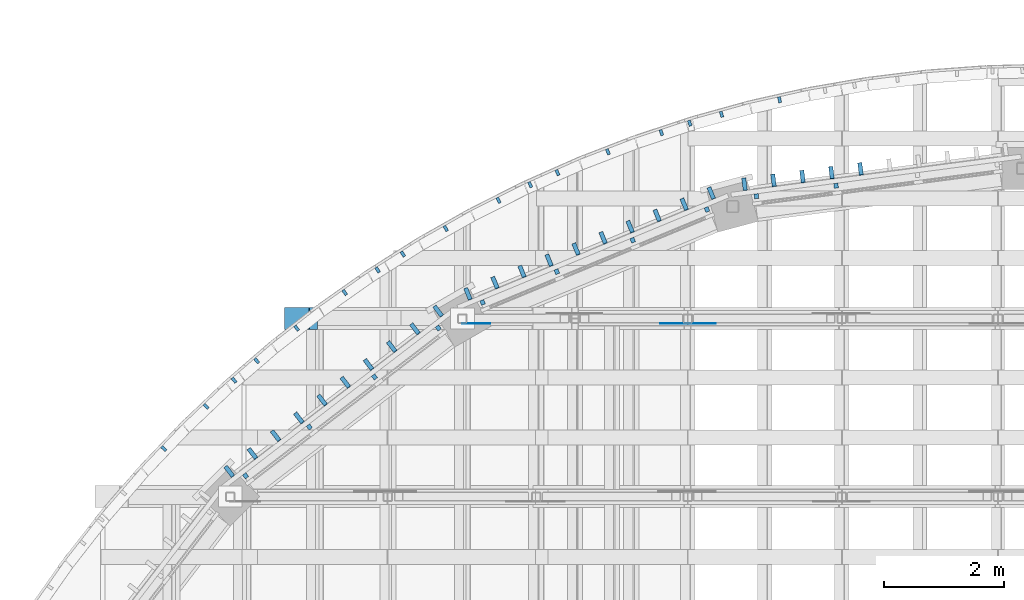
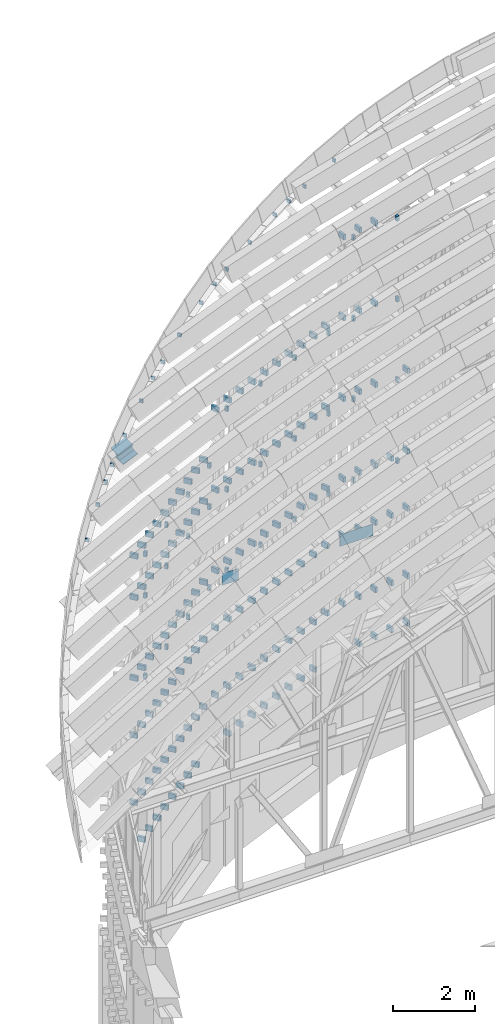
# One storey, part 79 of 105: 197 discrete accessories.
"""IFC4 building model written with IfcOpenShell, lengths in metres."""

import ifcopenshell
import ifcopenshell.guid

model = None  # the IFC model being written
_history = None  # IfcOwnerHistory: only IFC2X3 demands one
_inside = {}  # id of a spatial element -> (the spatial element, [elements in it])
_under = {}  # id of a project, library or spatial element -> (it, [spatial elements below it])
_declared = {}  # id of a project -> (the project, [libraries it declares])
_typed = {}  # id of a type object -> (the type object, [elements of that type])
_made_of = {}  # id of a material, layer set ... -> (it, [elements and type objects made of it])


def new_model(schema):
    """Start an empty IFC model of exactly this schema.

    Asked for "IFC4X3", IfcOpenShell would pick the latest addendum, in which some entities
    have other attributes; the version numbers below select the first issue.
    IFC2X3 requires an IfcOwnerHistory on every rooted entity: one is made here for all.
    """
    global model, _history
    if schema == "IFC4X3":
        model = ifcopenshell.file(schema_version=(4, 3, 0, 0))
    else:
        model = ifcopenshell.file(schema=schema)
    _inside.clear()
    _under.clear()
    _declared.clear()
    _typed.clear()
    _made_of.clear()
    _history = None
    if model.schema == "IFC2X3":
        org = make("IfcOrganization", Name="unknown")
        user = make(
            "IfcPersonAndOrganization",
            ThePerson=make("IfcPerson", FamilyName="unknown"),
            TheOrganization=org,
        )
        app = make(
            "IfcApplication",
            ApplicationDeveloper=org,
            Version="unknown",
            ApplicationFullName="unknown",
            ApplicationIdentifier="unknown",
        )
        _history = make(
            "IfcOwnerHistory",
            OwningUser=user,
            OwningApplication=app,
            ChangeAction="ADDED",
            CreationDate=0,
        )
    return model


def make(cls, **values):
    """One entity of the class cls with the attributes given. An attribute that is None is left unset."""
    return model.create_entity(
        cls, **{name: value for name, value in values.items() if value is not None}
    )


def rooted(cls, **values):
    """An entity with a GlobalId (a new one), such as an element, a storey or a relation."""
    return make(cls, GlobalId=ifcopenshell.guid.new(), OwnerHistory=_history, **values)


def si_unit(unit_type, name, prefix=None):
    """IfcSIUnit, for example si_unit("LENGTHUNIT", "METRE", prefix="MILLI")."""
    return make("IfcSIUnit", UnitType=unit_type, Prefix=prefix, Name=name)


def assignment(units):
    """IfcUnitAssignment: the units of a project."""
    return None if units is None else make("IfcUnitAssignment", Units=units)


def point(xyz):
    """IfcCartesianPoint."""
    return None if xyz is None else make("IfcCartesianPoint", Coordinates=xyz)


def direction(xyz):
    """IfcDirection."""
    return None if xyz is None else make("IfcDirection", DirectionRatios=xyz)


def frame(location, z_axis=None, x_axis=None):
    """IfcAxis2Placement3D, a coordinate frame: its origin and axes. An axis left out is left unset."""
    return make(
        "IfcAxis2Placement3D",
        Location=point(location),
        Axis=direction(z_axis),
        RefDirection=direction(x_axis),
    )


def frame_2d(location, x_axis=None):
    """IfcAxis2Placement2D, a coordinate frame in the plane: its origin and x axis."""
    return make(
        "IfcAxis2Placement2D", Location=point(location), RefDirection=direction(x_axis)
    )


def origin():
    """The frame at (0, 0, 0) with its axes left unset."""
    return frame((0.0, 0.0, 0.0))


def origin_2d():
    """The frame at (0, 0) in the plane with its x axis left unset."""
    return frame_2d((0.0, 0.0))


def place(relative_to, where):
    """IfcLocalPlacement: puts the frame where relative to a parent placement (None: the world)."""
    return make(
        "IfcLocalPlacement", PlacementRelTo=relative_to, RelativePlacement=where
    )


def context(
    kind, dimensions, precision=None, world=None, true_north=None, identifier=None
):
    """IfcGeometricRepresentationContext, for example the 3D "Model" context."""
    return make(
        "IfcGeometricRepresentationContext",
        ContextIdentifier=identifier,
        ContextType=kind,
        CoordinateSpaceDimension=dimensions,
        Precision=precision,
        WorldCoordinateSystem=world,
        TrueNorth=true_north,
    )


def subcontext(parent, identifier, kind, view, scale=None):
    """IfcGeometricRepresentationSubContext, for example "Body" below "Model"."""
    return make(
        "IfcGeometricRepresentationSubContext",
        ContextIdentifier=identifier,
        ContextType=kind,
        ParentContext=parent,
        TargetScale=scale,
        TargetView=view,
    )


def project(units=None, contexts=None):
    """IfcProject with its units and contexts."""
    return rooted(
        "IfcProject",
        Name="project",
        RepresentationContexts=contexts,
        UnitsInContext=assignment(units),
    )


def spatial(cls, under=None, at=None, **own):
    """A site, building, storey or space (cls), placed at a placement, below another one or the project."""
    s = rooted(cls, ObjectPlacement=at, **own)
    if under is not None:
        _under.setdefault(under.id(), (under, []))[1].append(s)
    return s


def polyline(points):
    """IfcPolyline through the points."""
    return make("IfcPolyline", Points=[point(p) for p in points])


def profile(cls, at=None, kind="AREA", **sizes):
    """A parametric profile (cls). Its sizes go by their IFC names, for example OverallWidth=200.0."""
    return make(cls, ProfileType=kind, Position=at, **sizes)


def rectangle(**sizes):
    """IfcRectangleProfileDef."""
    return profile("IfcRectangleProfileDef", **sizes)


def i_section(**sizes):
    """IfcIShapeProfileDef."""
    return profile("IfcIShapeProfileDef", **sizes)


def outline(outer, holes=None, kind="AREA"):
    """IfcArbitraryClosedProfileDef: a profile drawn as a closed curve; with holes, ...WithVoids."""
    if holes is None:
        return make("IfcArbitraryClosedProfileDef", ProfileType=kind, OuterCurve=outer)
    return make(
        "IfcArbitraryProfileDefWithVoids",
        ProfileType=kind,
        OuterCurve=outer,
        InnerCurves=holes,
    )


def extrude(swept, where, along, depth):
    """IfcExtrudedAreaSolid: the profile swept, set in the frame where, extruded along a direction by depth."""
    return make(
        "IfcExtrudedAreaSolid",
        SweptArea=swept,
        Position=where,
        ExtrudedDirection=direction(along),
        Depth=depth,
    )


def shape(context_of_items, identifier, shape_type, items):
    """IfcShapeRepresentation: the items that make up one representation, for example the "Body"."""
    return make(
        "IfcShapeRepresentation",
        ContextOfItems=context_of_items,
        RepresentationIdentifier=identifier,
        RepresentationType=shape_type,
        Items=items,
    )


def material(Name=None, Category=None):
    """IfcMaterial."""
    return make("IfcMaterial", Name=Name, Category=Category)


def material_profile(
    of_material, cross_section, Name=None, Category=None, Priority=None
):
    """IfcMaterialProfile: a cross section and its material."""
    return make(
        "IfcMaterialProfile",
        Name=Name,
        Material=of_material,
        Profile=cross_section,
        Priority=Priority,
        Category=Category,
    )


def profile_set(profiles, Name=None, composite=None):
    """IfcMaterialProfileSet."""
    return make(
        "IfcMaterialProfileSet",
        Name=Name,
        MaterialProfiles=profiles,
        CompositeProfile=composite,
    )


def made_of(thing, what):
    """Note that an element or type object is made of a material, layer set ...; save() writes the relation."""
    if what is not None:
        _made_of.setdefault(what.id(), (what, []))[1].append(thing)
    return thing


def type_object(cls, material=None, **own):
    """A type object (cls), such as IfcWallType, which elements share."""
    return made_of(rooted(cls, **own), material)


def element(
    cls,
    number,
    at=None,
    inside=None,
    cuts=None,
    type_object=None,
    material=None,
    context=None,
    identifier="Body",
    shape_type=None,
    held_by="IfcProductDefinitionShape",
    body=None,
    shapes=None,
    **own,
):
    """One element of the class cls, such as IfcWall. Its Tag is "e" and its number.

    at: its placement. inside: the storey or other place that contains it. cuts: it is an
    opening in that element (IfcRelVoidsElement). A single representation is given by context,
    identifier, shape_type and body (its items); several are given by shapes. held_by: the class
    of the entity that holds the representations. save() writes the other relations.
    """
    e = rooted(cls, Tag="e%d" % number, ObjectPlacement=at, **own)
    if body is not None:
        shapes = [shape(context, identifier, shape_type, body)]
    if shapes is not None:
        e.Representation = make(held_by, Representations=shapes)
    if inside is not None:
        _inside.setdefault(inside.id(), (inside, []))[1].append(e)
    if cuts is not None:
        rooted(
            "IfcRelVoidsElement", RelatingBuildingElement=cuts, RelatedOpeningElement=e
        )
    if type_object is not None:
        _typed.setdefault(type_object.id(), (type_object, []))[1].append(e)
    return made_of(e, material)


def aggregate(whole, parts):
    """IfcRelAggregates: a whole, such as a stair, and the parts it consists of."""
    return rooted("IfcRelAggregates", RelatingObject=whole, RelatedObjects=parts)


def save(model, path):
    """Write the relations noted so far, then the file.

    IfcRelAggregates (storeys below a building ...), IfcRelContainedInSpatialStructure (elements
    in a storey), IfcRelDefinesByType, IfcRelAssociatesMaterial and IfcRelDeclares: one each for
    every whole, place, type object, material and project.
    """
    for whole, parts in _under.values():
        aggregate(whole, parts)
    for where, things in _inside.values():
        rooted(
            "IfcRelContainedInSpatialStructure",
            RelatedElements=things,
            RelatingStructure=where,
        )
    for kind, things in _typed.values():
        rooted("IfcRelDefinesByType", RelatedObjects=things, RelatingType=kind)
    for what, things in _made_of.values():
        rooted("IfcRelAssociatesMaterial", RelatedObjects=things, RelatingMaterial=what)
    for by, libraries in _declared.values():
        rooted("IfcRelDeclares", RelatingContext=by, RelatedDefinitions=libraries)
    model.write(path)


model = new_model("IFC4")

# Units and contexts
model_context = context("Model", 3, precision=1e-05, world=origin(), true_north=direction((0.0, 1.0)))
body_context = subcontext(model_context, "Body", "Model", "MODEL_VIEW")
ifc_project = project(units=[si_unit("LENGTHUNIT", "METRE"), si_unit("AREAUNIT", "SQUARE_METRE"), si_unit("VOLUMEUNIT", "CUBIC_METRE"), si_unit("PLANEANGLEUNIT", "RADIAN"), si_unit("MASSUNIT", "GRAM", prefix="KILO")], contexts=[model_context])

# Site, building, storey
site_placement = place(None, origin())
site = spatial("IfcSite", under=ifc_project, at=site_placement, CompositionType="ELEMENT")
building_placement = place(site_placement, origin())
building = spatial("IfcBuilding", under=site, at=building_placement, Name="Wasatch Bagh Community Centre", CompositionType="ELEMENT")
storey_placement = place(building_placement, frame((0.0, 0.0, 16.800048828125)))
storey = spatial("IfcBuildingStorey", under=building, at=storey_placement, Name="L04", CompositionType="ELEMENT", Elevation=16.800048828125)

# Discrete accessories
ifc_material_1 = material(Name="ASTM A36 steel", Category="steel")
discrete_accessory_type_1 = type_object("IfcDiscreteAccessoryType", Name="MH fascia bracket", PredefinedType="BRACKET", material=ifc_material_1)
for number, where, z_axis, x_axis, name in (
    (1, (21.6298828125, 79.0625, 12.392333984375), (0.0, 0.0, 1.0), (-0.724247082951, 0.689540544737, 0.0), "Fascia bracket 101"),
    (2, (22.337646484375, 79.770263671875, 12.769287109375), (0.0, 0.0, 1.0), (-0.689540544737, 0.724247082951, 0.0), "Fascia bracket 102"),
    (3, (22.805908203125, 80.20654296875, 13.0185546875), (0.0, 0.0, 1.0), (-0.653172842954, 0.757208846506, 0.0), "Fascia bracket 103"),
    (4, (23.18408203125, 80.53271484375, 13.189697265625), (0.0, 0.0, 1.0), (-0.653172842954, 0.757208846506, 0.0), "Fascia bracket 104"),
    (5, (23.85302734375, 81.077392578125, 13.5029296875), (0.0, 0.0, 1.0), (-0.615231590581, 0.788346427627, 0.0), "Fascia bracket 105"),
    (6, (24.656982421875, 81.673828125, 13.87939453125), (0.0, 0.0, 1.0), (-0.575808191418, 0.817584813152, 0.0), "Fascia bracket 106"),
    (7, (25.207275390625, 82.05126953125, 14.136962890625), (0.0, 0.0, 1.0), (-0.534997619887, 0.84485356525, 0.0), "Fascia bracket 107"),
    (8, (25.629150390625, 82.318359375, 14.306396484375), (0.0, 0.0, 1.0), (-0.534997619887, 0.84485356525, 0.0), "Fascia bracket 108"),
    (9, (26.347900390625, 82.744384765625, 14.5986328125), (0.0, 0.0, 1.0), (-0.49289819223, 0.870086991109, 0.0), "Fascia bracket 109"),
    (10, (27.230712890625, 83.21630859375, 14.9580078125), (0.0, 0.0, 1.0), (-0.449611329655, 0.893224301196, 0.0), "Fascia bracket 110"),
    (11, (27.75927734375, 83.4775390625, 15.172607421875), (0.0, 0.0, 1.0), (-0.405241314005, 0.914209755704, 0.0), "Fascia bracket 111"),
    (12, (28.2158203125, 83.679931640625, 15.327392578125), (0.0, 0.0, 1.0), (-0.405241314005, 0.914209755704, 0.0), "Fascia bracket 112"),
    (13, (29.060302734375, 84.02734375, 15.62109375), (0.0, 0.0, 1.0), (-0.359895036535, 0.932992798835, 0.0), "Fascia bracket 113"),
    (14, (29.9541015625, 84.348388671875, 15.93212890625), (0.0, 0.0, 1.0), (-0.313681740399, 0.949528180593, 0.0), "Fascia bracket 114"),
    (15, (30.42822265625, 84.505126953125, 16.0869140625), (0.0, 0.0, 1.0), (-0.313681740399, 0.949528180593, 0.0), "Fascia bracket 115"),
    (16, (30.960693359375, 84.655029296875, 16.24169921875), (0.0, 0.0, 1.0), (-0.266712757475, 0.963776065795, 0.0), "Fascia bracket 116"),
    (17, (31.931640625, 84.8984375, 16.5244140625), (0.0, 0.0, 1.0), (-0.219101240157, 0.975702130039, 0.0), "Fascia bracket 117"),
):
    element("IfcDiscreteAccessory", number, at=place(storey_placement, frame(where, z_axis=z_axis, x_axis=x_axis)), inside=storey, type_object=discrete_accessory_type_1, Name=name, PredefinedType="BRACKET", context=body_context, shape_type="SweptSolid", body=[
        extrude(rectangle(XDim=0.10009765625, YDim=0.050048828125, at=origin_2d()), origin(), (0.0, 0.0, 1.0), 0.10009765625),
    ])
discrete_accessory_type_2 = type_object("IfcDiscreteAccessoryType", Name="MH fin bracket", PredefinedType="BRACKET", material=ifc_material_1)
for number, where, z_axis, x_axis, name in (
    (18, (33.28515625, 83.74560546875, 3.02490234375), (0.0, 0.0, 1.0), (-0.991444861374, -0.13052619222, 0.0), "Fin bracket 25.6.4"),
    (19, (33.28515625, 83.74560546875, 4.425048828125), (0.0, 0.0, 1.0), (-0.991444861374, -0.13052619222, 0.0), "Fin bracket 25.6.5"),
    (20, (33.28515625, 83.74560546875, 6.425048828125), (0.0, 0.0, 1.0), (-0.991444861374, -0.13052619222, 0.0), "Fin bracket 25.6.6"),
    (21, (32.800048828125, 83.681640625, 3.02490234375), (0.0, 0.0, 1.0), (-0.991444861374, -0.13052619222, 0.0), "Fin bracket 25.7.4"),
    (22, (32.800048828125, 83.681640625, 4.425048828125), (0.0, 0.0, 1.0), (-0.991444861374, -0.13052619222, 0.0), "Fin bracket 25.7.5"),
    (23, (32.800048828125, 83.681640625, 6.425048828125), (0.0, 0.0, 1.0), (-0.991444861374, -0.13052619222, 0.0), "Fin bracket 25.7.6"),
    (24, (32.314697265625, 83.617919921875, 3.02490234375), (0.0, 0.0, 1.0), (-0.991444861374, -0.13052619222, 0.0), "Fin bracket 25.8.4"),
    (25, (32.314697265625, 83.617919921875, 4.425048828125), (0.0, 0.0, 1.0), (-0.991444861374, -0.13052619222, 0.0), "Fin bracket 25.8.5"),
    (26, (32.314697265625, 83.617919921875, 6.425048828125), (0.0, 0.0, 1.0), (-0.991444861374, -0.13052619222, 0.0), "Fin bracket 25.8.6"),
    (27, (31.829345703125, 83.553955078125, 3.02490234375), (0.0, 0.0, 1.0), (-0.991444861374, -0.13052619222, 0.0), "Fin bracket 25.9.4"),
    (28, (31.829345703125, 83.553955078125, 4.425048828125), (0.0, 0.0, 1.0), (-0.991444861374, -0.13052619222, 0.0), "Fin bracket 25.9.5"),
    (29, (31.829345703125, 83.553955078125, 6.425048828125), (0.0, 0.0, 1.0), (-0.991444861374, -0.13052619222, 0.0), "Fin bracket 25.9.6"),
    (30, (31.343994140625, 83.489990234375, 4.425048828125), (0.0, 0.0, 1.0), (-0.991444861374, -0.13052619222, 0.0), "Fin bracket 25.10.5"),
    (31, (31.343994140625, 83.489990234375, 6.425048828125), (0.0, 0.0, 1.0), (-0.991444861374, -0.13052619222, 0.0), "Fin bracket 25.10.6"),
    (32, (30.787109375, 83.3408203125, 4.425048828125), (0.0, 0.0, 1.0), (-0.923879532511, -0.382683432365, 0.0), "Fin bracket 26.1.5"),
    (33, (30.787109375, 83.3408203125, 6.425048828125), (0.0, 0.0, 1.0), (-0.923879532511, -0.382683432365, 0.0), "Fin bracket 26.1.6"),
    (34, (30.3349609375, 83.153564453125, 3.02490234375), (0.0, 0.0, 1.0), (-0.923879532511, -0.382683432365, 0.0), "Fin bracket 26.2.4"),
    (35, (30.3349609375, 83.153564453125, 4.425048828125), (0.0, 0.0, 1.0), (-0.923879532511, -0.382683432365, 0.0), "Fin bracket 26.2.5"),
    (36, (30.3349609375, 83.153564453125, 6.425048828125), (0.0, 0.0, 1.0), (-0.923879532511, -0.382683432365, 0.0), "Fin bracket 26.2.6"),
    (37, (29.882568359375, 82.966064453125, 3.02490234375), (0.0, 0.0, 1.0), (-0.923879532511, -0.382683432365, 0.0), "Fin bracket 26.3.4"),
    (38, (29.882568359375, 82.966064453125, 4.425048828125), (0.0, 0.0, 1.0), (-0.923879532511, -0.382683432365, 0.0), "Fin bracket 26.3.5"),
    (39, (29.882568359375, 82.966064453125, 6.425048828125), (0.0, 0.0, 1.0), (-0.923879532511, -0.382683432365, 0.0), "Fin bracket 26.3.6"),
    (40, (29.430419921875, 82.77880859375, 3.02490234375), (0.0, 0.0, 1.0), (-0.923879532511, -0.382683432365, 0.0), "Fin bracket 26.4.4"),
    (41, (29.430419921875, 82.77880859375, 4.425048828125), (0.0, 0.0, 1.0), (-0.923879532511, -0.382683432365, 0.0), "Fin bracket 26.4.5"),
    (42, (29.430419921875, 82.77880859375, 6.425048828125), (0.0, 0.0, 1.0), (-0.923879532511, -0.382683432365, 0.0), "Fin bracket 26.4.6"),
    (43, (28.978271484375, 82.591552734375, 3.02490234375), (0.0, 0.0, 1.0), (-0.923879532511, -0.382683432365, 0.0), "Fin bracket 26.5.4"),
    (44, (28.978271484375, 82.591552734375, 4.425048828125), (0.0, 0.0, 1.0), (-0.923879532511, -0.382683432365, 0.0), "Fin bracket 26.5.5"),
    (45, (28.978271484375, 82.591552734375, 6.425048828125), (0.0, 0.0, 1.0), (-0.923879532511, -0.382683432365, 0.0), "Fin bracket 26.5.6"),
    (46, (28.526123046875, 82.404296875, 3.02490234375), (0.0, 0.0, 1.0), (-0.923879532511, -0.382683432365, 0.0), "Fin bracket 26.6.4"),
    (47, (28.526123046875, 82.404296875, 4.425048828125), (0.0, 0.0, 1.0), (-0.923879532511, -0.382683432365, 0.0), "Fin bracket 26.6.5"),
    (48, (28.526123046875, 82.404296875, 6.425048828125), (0.0, 0.0, 1.0), (-0.923879532511, -0.382683432365, 0.0), "Fin bracket 26.6.6"),
    (49, (28.07373046875, 82.217041015625, 3.02490234375), (0.0, 0.0, 1.0), (-0.923879532511, -0.382683432365, 0.0), "Fin bracket 26.7.4"),
    (50, (28.07373046875, 82.217041015625, 4.425048828125), (0.0, 0.0, 1.0), (-0.923879532511, -0.382683432365, 0.0), "Fin bracket 26.7.5"),
    (51, (28.07373046875, 82.217041015625, 6.425048828125), (0.0, 0.0, 1.0), (-0.923879532511, -0.382683432365, 0.0), "Fin bracket 26.7.6"),
    (52, (27.62158203125, 82.029541015625, 3.02490234375), (0.0, 0.0, 1.0), (-0.923879532511, -0.382683432365, 0.0), "Fin bracket 26.8.4"),
    (53, (27.62158203125, 82.029541015625, 4.425048828125), (0.0, 0.0, 1.0), (-0.923879532511, -0.382683432365, 0.0), "Fin bracket 26.8.5"),
    (54, (27.62158203125, 82.029541015625, 6.425048828125), (0.0, 0.0, 1.0), (-0.923879532511, -0.382683432365, 0.0), "Fin bracket 26.8.6"),
    (55, (27.16943359375, 81.84228515625, 3.02490234375), (0.0, 0.0, 1.0), (-0.923879532511, -0.382683432365, 0.0), "Fin bracket 26.9.4"),
    (56, (27.16943359375, 81.84228515625, 4.425048828125), (0.0, 0.0, 1.0), (-0.923879532511, -0.382683432365, 0.0), "Fin bracket 26.9.5"),
    (57, (27.16943359375, 81.84228515625, 6.425048828125), (0.0, 0.0, 1.0), (-0.923879532511, -0.382683432365, 0.0), "Fin bracket 26.9.6"),
    (58, (26.71728515625, 81.655029296875, 4.425048828125), (0.0, 0.0, 1.0), (-0.923879532511, -0.382683432365, 0.0), "Fin bracket 26.10.5"),
    (59, (26.71728515625, 81.655029296875, 6.425048828125), (0.0, 0.0, 1.0), (-0.923879532511, -0.382683432365, 0.0), "Fin bracket 26.10.6"),
    (60, (26.2177734375, 81.36669921875, 4.425048828125), (0.0, 0.0, 1.0), (-0.793353340291, -0.608761429009, 0.0), "Fin bracket 27.1.5"),
    (61, (26.2177734375, 81.36669921875, 6.425048828125), (0.0, 0.0, 1.0), (-0.793353340291, -0.608761429009, 0.0), "Fin bracket 27.1.6"),
    (62, (25.829345703125, 81.068603515625, 3.02490234375), (0.0, 0.0, 1.0), (-0.793353340291, -0.608761429009, 0.0), "Fin bracket 27.2.4"),
    (63, (25.829345703125, 81.068603515625, 4.425048828125), (0.0, 0.0, 1.0), (-0.793353340291, -0.608761429009, 0.0), "Fin bracket 27.2.5"),
    (64, (25.829345703125, 81.068603515625, 6.425048828125), (0.0, 0.0, 1.0), (-0.793353340291, -0.608761429009, 0.0), "Fin bracket 27.2.6"),
    (65, (25.441162109375, 80.770751953125, 3.02490234375), (0.0, 0.0, 1.0), (-0.793353340291, -0.608761429009, 0.0), "Fin bracket 27.3.4"),
    (66, (25.441162109375, 80.770751953125, 4.425048828125), (0.0, 0.0, 1.0), (-0.793353340291, -0.608761429009, 0.0), "Fin bracket 27.3.5"),
    (67, (25.441162109375, 80.770751953125, 6.425048828125), (0.0, 0.0, 1.0), (-0.793353340291, -0.608761429009, 0.0), "Fin bracket 27.3.6"),
    (68, (25.052734375, 80.47265625, 3.02490234375), (0.0, 0.0, 1.0), (-0.793353340291, -0.608761429009, 0.0), "Fin bracket 27.4.4"),
    (69, (25.052734375, 80.47265625, 4.425048828125), (0.0, 0.0, 1.0), (-0.793353340291, -0.608761429009, 0.0), "Fin bracket 27.4.5"),
    (70, (25.052734375, 80.47265625, 6.425048828125), (0.0, 0.0, 1.0), (-0.793353340291, -0.608761429009, 0.0), "Fin bracket 27.4.6"),
    (71, (24.66455078125, 80.1748046875, 3.02490234375), (0.0, 0.0, 1.0), (-0.793353340291, -0.608761429009, 0.0), "Fin bracket 27.5.4"),
    (72, (24.66455078125, 80.1748046875, 4.425048828125), (0.0, 0.0, 1.0), (-0.793353340291, -0.608761429009, 0.0), "Fin bracket 27.5.5"),
    (73, (24.66455078125, 80.1748046875, 6.425048828125), (0.0, 0.0, 1.0), (-0.793353340291, -0.608761429009, 0.0), "Fin bracket 27.5.6"),
    (74, (24.276123046875, 79.876708984375, 3.02490234375), (0.0, 0.0, 1.0), (-0.793353340291, -0.608761429009, 0.0), "Fin bracket 27.6.4"),
    (75, (24.276123046875, 79.876708984375, 4.425048828125), (0.0, 0.0, 1.0), (-0.793353340291, -0.608761429009, 0.0), "Fin bracket 27.6.5"),
    (76, (24.276123046875, 79.876708984375, 6.425048828125), (0.0, 0.0, 1.0), (-0.793353340291, -0.608761429009, 0.0), "Fin bracket 27.6.6"),
    (77, (23.887939453125, 79.578857421875, 3.02490234375), (0.0, 0.0, 1.0), (-0.793353340291, -0.608761429009, 0.0), "Fin bracket 27.7.4"),
    (78, (23.887939453125, 79.578857421875, 4.425048828125), (0.0, 0.0, 1.0), (-0.793353340291, -0.608761429009, 0.0), "Fin bracket 27.7.5"),
    (79, (23.887939453125, 79.578857421875, 6.425048828125), (0.0, 0.0, 1.0), (-0.793353340291, -0.608761429009, 0.0), "Fin bracket 27.7.6"),
    (80, (23.49951171875, 79.28076171875, 3.02490234375), (0.0, 0.0, 1.0), (-0.793353340291, -0.608761429009, 0.0), "Fin bracket 27.8.4"),
    (81, (23.49951171875, 79.28076171875, 4.425048828125), (0.0, 0.0, 1.0), (-0.793353340291, -0.608761429009, 0.0), "Fin bracket 27.8.5"),
    (82, (23.49951171875, 79.28076171875, 6.425048828125), (0.0, 0.0, 1.0), (-0.793353340291, -0.608761429009, 0.0), "Fin bracket 27.8.6"),
    (83, (23.111083984375, 78.98291015625, 3.02490234375), (0.0, 0.0, 1.0), (-0.793353340291, -0.608761429009, 0.0), "Fin bracket 27.9.4"),
    (84, (23.111083984375, 78.98291015625, 4.425048828125), (0.0, 0.0, 1.0), (-0.793353340291, -0.608761429009, 0.0), "Fin bracket 27.9.5"),
    (85, (23.111083984375, 78.98291015625, 6.425048828125), (0.0, 0.0, 1.0), (-0.793353340291, -0.608761429009, 0.0), "Fin bracket 27.9.6"),
    (86, (22.722900390625, 78.684814453125, 4.425048828125), (0.0, 0.0, 1.0), (-0.793353340291, -0.608761429009, 0.0), "Fin bracket 27.10.5"),
    (87, (22.722900390625, 78.684814453125, 6.425048828125), (0.0, 0.0, 1.0), (-0.793353340291, -0.608761429009, 0.0), "Fin bracket 27.10.6"),
):
    element("IfcDiscreteAccessory", number, at=place(storey_placement, frame(where, z_axis=z_axis, x_axis=x_axis)), inside=storey, type_object=discrete_accessory_type_2, Name=name, PredefinedType="BRACKET", context=body_context, shape_type="SweptSolid", body=[
        extrude(rectangle(XDim=0.070068359375, YDim=0.199951171875, at=origin_2d()), origin(), (0.0, 0.0, 1.0), 0.14990234375),
    ])
discrete_accessory_type_3 = type_object("IfcDiscreteAccessoryType", Name="MH fin bracket (rail)", PredefinedType="BRACKET", material=ifc_material_1)
for number, where, z_axis, x_axis, name in (
    (88, (33.285888671875, 83.74072265625, 8.125), (0.0, 0.0, 1.0), (-0.991444861374, -0.13052619222, 0.0), "Fin bracket 25.6.r1"),
    (89, (32.800537109375, 83.6767578125, 8.125), (0.0, 0.0, 1.0), (-0.991444861374, -0.13052619222, 0.0), "Fin bracket 25.7.r1"),
    (90, (32.3154296875, 83.61279296875, 8.125), (0.0, 0.0, 1.0), (-0.991444861374, -0.13052619222, 0.0), "Fin bracket 25.8.r1"),
    (91, (31.830078125, 83.549072265625, 8.125), (0.0, 0.0, 1.0), (-0.991444861374, -0.13052619222, 0.0), "Fin bracket 25.9.r1"),
    (92, (31.3447265625, 83.485107421875, 8.125), (0.0, 0.0, 1.0), (-0.991444861374, -0.13052619222, 0.0), "Fin bracket 25.10.r1"),
    (93, (33.285888671875, 83.74072265625, 10.52490234375), (0.0, 0.0, 1.0), (-0.991444861374, -0.13052619222, 0.0), "Fin bracket 25.6.r2"),
    (94, (32.3154296875, 83.61279296875, 10.52490234375), (0.0, 0.0, 1.0), (-0.991444861374, -0.13052619222, 0.0), "Fin bracket 25.8.r2"),
    (95, (31.830078125, 83.549072265625, 10.52490234375), (0.0, 0.0, 1.0), (-0.991444861374, -0.13052619222, 0.0), "Fin bracket 25.9.r2"),
    (96, (31.3447265625, 83.485107421875, 10.52490234375), (0.0, 0.0, 1.0), (-0.991444861374, -0.13052619222, 0.0), "Fin bracket 25.10.r2"),
    (97, (32.3154296875, 83.61279296875, 12.925048828125), (0.0, 0.0, 1.0), (-0.991444861374, -0.13052619222, 0.0), "Fin bracket 25.8.r3"),
    (98, (31.830078125, 83.549072265625, 12.925048828125), (0.0, 0.0, 1.0), (-0.991444861374, -0.13052619222, 0.0), "Fin bracket 25.9.r3"),
    (99, (31.3447265625, 83.485107421875, 12.925048828125), (0.0, 0.0, 1.0), (-0.991444861374, -0.13052619222, 0.0), "Fin bracket 25.10.r3"),
    (100, (32.3154296875, 83.61279296875, 15.324951171875), (0.0, 0.0, 1.0), (-0.991444861374, -0.13052619222, 0.0), "Fin bracket 25.8.r4"),
    (101, (31.830078125, 83.549072265625, 15.324951171875), (0.0, 0.0, 1.0), (-0.991444861374, -0.13052619222, 0.0), "Fin bracket 25.9.r4"),
    (102, (31.3447265625, 83.485107421875, 15.324951171875), (0.0, 0.0, 1.0), (-0.991444861374, -0.13052619222, 0.0), "Fin bracket 25.10.r4"),
    (103, (30.7890625, 83.336181640625, 8.125), (0.0, 0.0, 1.0), (-0.923879532511, -0.382683432365, 0.0), "Fin bracket 26.1.r1"),
    (104, (30.3369140625, 83.14892578125, 8.125), (0.0, 0.0, 1.0), (-0.923879532511, -0.382683432365, 0.0), "Fin bracket 26.2.r1"),
    (105, (29.884521484375, 82.961669921875, 8.125), (0.0, 0.0, 1.0), (-0.923879532511, -0.382683432365, 0.0), "Fin bracket 26.3.r1"),
    (106, (29.432373046875, 82.774169921875, 8.125), (0.0, 0.0, 1.0), (-0.923879532511, -0.382683432365, 0.0), "Fin bracket 26.4.r1"),
    (107, (28.980224609375, 82.5869140625, 8.125), (0.0, 0.0, 1.0), (-0.923879532511, -0.382683432365, 0.0), "Fin bracket 26.5.r1"),
    (108, (28.52783203125, 82.399658203125, 8.125), (0.0, 0.0, 1.0), (-0.923879532511, -0.382683432365, 0.0), "Fin bracket 26.6.r1"),
    (109, (28.07568359375, 82.21240234375, 8.125), (0.0, 0.0, 1.0), (-0.923879532511, -0.382683432365, 0.0), "Fin bracket 26.7.r1"),
    (110, (27.62353515625, 82.02490234375, 8.125), (0.0, 0.0, 1.0), (-0.923879532511, -0.382683432365, 0.0), "Fin bracket 26.8.r1"),
    (111, (27.17138671875, 81.837646484375, 8.125), (0.0, 0.0, 1.0), (-0.923879532511, -0.382683432365, 0.0), "Fin bracket 26.9.r1"),
    (112, (26.718994140625, 81.650390625, 8.125), (0.0, 0.0, 1.0), (-0.923879532511, -0.382683432365, 0.0), "Fin bracket 26.10.r1"),
    (113, (30.7890625, 83.336181640625, 10.52490234375), (0.0, 0.0, 1.0), (-0.923879532511, -0.382683432365, 0.0), "Fin bracket 26.1.r2"),
    (114, (30.3369140625, 83.14892578125, 10.52490234375), (0.0, 0.0, 1.0), (-0.923879532511, -0.382683432365, 0.0), "Fin bracket 26.2.r2"),
    (115, (29.884521484375, 82.961669921875, 10.52490234375), (0.0, 0.0, 1.0), (-0.923879532511, -0.382683432365, 0.0), "Fin bracket 26.3.r2"),
    (116, (29.432373046875, 82.774169921875, 10.52490234375), (0.0, 0.0, 1.0), (-0.923879532511, -0.382683432365, 0.0), "Fin bracket 26.4.r2"),
    (117, (28.980224609375, 82.5869140625, 10.52490234375), (0.0, 0.0, 1.0), (-0.923879532511, -0.382683432365, 0.0), "Fin bracket 26.5.r2"),
    (118, (28.52783203125, 82.399658203125, 10.52490234375), (0.0, 0.0, 1.0), (-0.923879532511, -0.382683432365, 0.0), "Fin bracket 26.6.r2"),
    (119, (28.07568359375, 82.21240234375, 10.52490234375), (0.0, 0.0, 1.0), (-0.923879532511, -0.382683432365, 0.0), "Fin bracket 26.7.r2"),
    (120, (27.62353515625, 82.02490234375, 10.52490234375), (0.0, 0.0, 1.0), (-0.923879532511, -0.382683432365, 0.0), "Fin bracket 26.8.r2"),
    (121, (27.17138671875, 81.837646484375, 10.52490234375), (0.0, 0.0, 1.0), (-0.923879532511, -0.382683432365, 0.0), "Fin bracket 26.9.r2"),
    (122, (26.718994140625, 81.650390625, 10.52490234375), (0.0, 0.0, 1.0), (-0.923879532511, -0.382683432365, 0.0), "Fin bracket 26.10.r2"),
    (123, (30.7890625, 83.336181640625, 12.925048828125), (0.0, 0.0, 1.0), (-0.923879532511, -0.382683432365, 0.0), "Fin bracket 26.1.r3"),
    (124, (30.3369140625, 83.14892578125, 12.925048828125), (0.0, 0.0, 1.0), (-0.923879532511, -0.382683432365, 0.0), "Fin bracket 26.2.r3"),
    (125, (29.884521484375, 82.961669921875, 12.925048828125), (0.0, 0.0, 1.0), (-0.923879532511, -0.382683432365, 0.0), "Fin bracket 26.3.r3"),
    (126, (29.432373046875, 82.774169921875, 12.925048828125), (0.0, 0.0, 1.0), (-0.923879532511, -0.382683432365, 0.0), "Fin bracket 26.4.r3"),
    (127, (28.980224609375, 82.5869140625, 12.925048828125), (0.0, 0.0, 1.0), (-0.923879532511, -0.382683432365, 0.0), "Fin bracket 26.5.r3"),
    (128, (28.52783203125, 82.399658203125, 12.925048828125), (0.0, 0.0, 1.0), (-0.923879532511, -0.382683432365, 0.0), "Fin bracket 26.6.r3"),
    (129, (28.07568359375, 82.21240234375, 12.925048828125), (0.0, 0.0, 1.0), (-0.923879532511, -0.382683432365, 0.0), "Fin bracket 26.7.r3"),
    (130, (27.62353515625, 82.02490234375, 12.925048828125), (0.0, 0.0, 1.0), (-0.923879532511, -0.382683432365, 0.0), "Fin bracket 26.8.r3"),
    (131, (27.17138671875, 81.837646484375, 12.925048828125), (0.0, 0.0, 1.0), (-0.923879532511, -0.382683432365, 0.0), "Fin bracket 26.9.r3"),
    (132, (26.718994140625, 81.650390625, 12.925048828125), (0.0, 0.0, 1.0), (-0.923879532511, -0.382683432365, 0.0), "Fin bracket 26.10.r3"),
    (133, (26.220703125, 81.36279296875, 8.125), (0.0, 0.0, 1.0), (-0.793353340291, -0.608761429009, 0.0), "Fin bracket 27.1.r1"),
    (134, (25.83251953125, 81.064697265625, 8.125), (0.0, 0.0, 1.0), (-0.793353340291, -0.608761429009, 0.0), "Fin bracket 27.2.r1"),
    (135, (25.444091796875, 80.766845703125, 8.125), (0.0, 0.0, 1.0), (-0.793353340291, -0.608761429009, 0.0), "Fin bracket 27.3.r1"),
    (136, (25.055908203125, 80.46875, 8.125), (0.0, 0.0, 1.0), (-0.793353340291, -0.608761429009, 0.0), "Fin bracket 27.4.r1"),
    (137, (24.66748046875, 80.1708984375, 8.125), (0.0, 0.0, 1.0), (-0.793353340291, -0.608761429009, 0.0), "Fin bracket 27.5.r1"),
    (138, (24.279296875, 79.872802734375, 8.125), (0.0, 0.0, 1.0), (-0.793353340291, -0.608761429009, 0.0), "Fin bracket 27.6.r1"),
    (139, (23.890869140625, 79.574951171875, 8.125), (0.0, 0.0, 1.0), (-0.793353340291, -0.608761429009, 0.0), "Fin bracket 27.7.r1"),
    (140, (23.50244140625, 79.27685546875, 8.125), (0.0, 0.0, 1.0), (-0.793353340291, -0.608761429009, 0.0), "Fin bracket 27.8.r1"),
    (141, (23.1142578125, 78.97900390625, 8.125), (0.0, 0.0, 1.0), (-0.793353340291, -0.608761429009, 0.0), "Fin bracket 27.9.r1"),
    (142, (22.725830078125, 78.680908203125, 8.125), (0.0, 0.0, 1.0), (-0.793353340291, -0.608761429009, 0.0), "Fin bracket 27.10.r1"),
    (143, (26.220703125, 81.36279296875, 10.52490234375), (0.0, 0.0, 1.0), (-0.793353340291, -0.608761429009, 0.0), "Fin bracket 27.1.r2"),
    (144, (25.83251953125, 81.064697265625, 10.52490234375), (0.0, 0.0, 1.0), (-0.793353340291, -0.608761429009, 0.0), "Fin bracket 27.2.r2"),
    (145, (25.444091796875, 80.766845703125, 10.52490234375), (0.0, 0.0, 1.0), (-0.793353340291, -0.608761429009, 0.0), "Fin bracket 27.3.r2"),
    (146, (25.055908203125, 80.46875, 10.52490234375), (0.0, 0.0, 1.0), (-0.793353340291, -0.608761429009, 0.0), "Fin bracket 27.4.r2"),
    (147, (24.66748046875, 80.1708984375, 10.52490234375), (0.0, 0.0, 1.0), (-0.793353340291, -0.608761429009, 0.0), "Fin bracket 27.5.r2"),
    (148, (24.279296875, 79.872802734375, 10.52490234375), (0.0, 0.0, 1.0), (-0.793353340291, -0.608761429009, 0.0), "Fin bracket 27.6.r2"),
    (149, (23.890869140625, 79.574951171875, 10.52490234375), (0.0, 0.0, 1.0), (-0.793353340291, -0.608761429009, 0.0), "Fin bracket 27.7.r2"),
    (150, (23.50244140625, 79.27685546875, 10.52490234375), (0.0, 0.0, 1.0), (-0.793353340291, -0.608761429009, 0.0), "Fin bracket 27.8.r2"),
    (151, (23.1142578125, 78.97900390625, 10.52490234375), (0.0, 0.0, 1.0), (-0.793353340291, -0.608761429009, 0.0), "Fin bracket 27.9.r2"),
    (152, (22.725830078125, 78.680908203125, 10.52490234375), (0.0, 0.0, 1.0), (-0.793353340291, -0.608761429009, 0.0), "Fin bracket 27.10.r2"),
    (153, (26.220703125, 81.36279296875, 11.7548828125), (0.0, 0.0, 1.0), (-0.793353340291, -0.608761429009, 0.0), "Fin bracket 27.1.r3"),
    (154, (25.83251953125, 81.064697265625, 11.7548828125), (0.0, 0.0, 1.0), (-0.793353340291, -0.608761429009, 0.0), "Fin bracket 27.2.r3"),
    (155, (25.444091796875, 80.766845703125, 11.7548828125), (0.0, 0.0, 1.0), (-0.793353340291, -0.608761429009, 0.0), "Fin bracket 27.3.r3"),
    (156, (25.055908203125, 80.46875, 11.7548828125), (0.0, 0.0, 1.0), (-0.793353340291, -0.608761429009, 0.0), "Fin bracket 27.4.r3"),
    (157, (24.66748046875, 80.1708984375, 11.7548828125), (0.0, 0.0, 1.0), (-0.793353340291, -0.608761429009, 0.0), "Fin bracket 27.5.r3"),
    (158, (24.279296875, 79.872802734375, 11.7548828125), (0.0, 0.0, 1.0), (-0.793353340291, -0.608761429009, 0.0), "Fin bracket 27.6.r3"),
    (159, (23.890869140625, 79.574951171875, 11.7548828125), (0.0, 0.0, 1.0), (-0.793353340291, -0.608761429009, 0.0), "Fin bracket 27.7.r3"),
    (160, (23.50244140625, 79.27685546875, 11.7548828125), (0.0, 0.0, 1.0), (-0.793353340291, -0.608761429009, 0.0), "Fin bracket 27.8.r3"),
    (161, (23.1142578125, 78.97900390625, 11.7548828125), (0.0, 0.0, 1.0), (-0.793353340291, -0.608761429009, 0.0), "Fin bracket 27.9.r3"),
    (162, (22.725830078125, 78.680908203125, 11.7548828125), (0.0, 0.0, 1.0), (-0.793353340291, -0.608761429009, 0.0), "Fin bracket 27.10.r3"),
):
    element("IfcDiscreteAccessory", number, at=place(storey_placement, frame(where, z_axis=z_axis, x_axis=x_axis)), inside=storey, type_object=discrete_accessory_type_3, Name=name, PredefinedType="BRACKET", context=body_context, shape_type="SweptSolid", body=[
        extrude(rectangle(XDim=0.070068359375, YDim=0.2099609375, at=origin_2d()), origin(), (0.0, 0.0, 1.0), 0.14990234375),
    ])
discrete_accessory_type_4 = type_object("IfcDiscreteAccessoryType", Name="MH fin rail stand-off", PredefinedType="BRACKET", material=ifc_material_1)
for number, where, z_axis, x_axis, name in (
    (163, (32.876708984375, 83.4599609375, 8.125), (0.0, 0.0, 1.0), (-0.991444861374, -0.13052619222, 0.0), "Rail stand-off 25.1.3"),
    (164, (31.54443359375, 83.284423828125, 8.125), (0.0, 0.0, 1.0), (-0.991444861374, -0.13052619222, 0.0), "Rail stand-off 25.1.4"),
    (165, (32.876708984375, 83.4599609375, 10.52490234375), (0.0, 0.0, 1.0), (-0.991444861374, -0.13052619222, 0.0), "Rail stand-off 25.2.3"),
    (166, (31.54443359375, 83.284423828125, 10.52490234375), (0.0, 0.0, 1.0), (-0.991444861374, -0.13052619222, 0.0), "Rail stand-off 25.2.4"),
    (167, (32.876708984375, 83.4599609375, 12.925048828125), (0.0, 0.0, 1.0), (-0.991444861374, -0.13052619222, 0.0), "Rail stand-off 25.3.3"),
    (168, (31.54443359375, 83.284423828125, 12.925048828125), (0.0, 0.0, 1.0), (-0.991444861374, -0.13052619222, 0.0), "Rail stand-off 25.3.4"),
    (169, (32.876708984375, 83.4599609375, 15.324951171875), (0.0, 0.0, 1.0), (-0.991444861374, -0.13052619222, 0.0), "Rail stand-off 25.4.3"),
    (170, (31.54443359375, 83.284423828125, 15.324951171875), (0.0, 0.0, 1.0), (-0.991444861374, -0.13052619222, 0.0), "Rail stand-off 25.4.4"),
    (171, (30.716552734375, 83.0625, 8.125), (0.0, 0.0, 1.0), (-0.923879532511, -0.382683432365, 0.0), "Rail stand-off 26.1.1"),
    (172, (29.474853515625, 82.54833984375, 8.125), (0.0, 0.0, 1.0), (-0.923879532511, -0.382683432365, 0.0), "Rail stand-off 26.1.2"),
    (173, (28.20556640625, 82.0224609375, 8.125), (0.0, 0.0, 1.0), (-0.923879532511, -0.382683432365, 0.0), "Rail stand-off 26.1.3"),
    (174, (26.9638671875, 81.50830078125, 8.125), (0.0, 0.0, 1.0), (-0.923879532511, -0.382683432365, 0.0), "Rail stand-off 26.1.4"),
    (175, (30.716552734375, 83.0625, 10.52490234375), (0.0, 0.0, 1.0), (-0.923879532511, -0.382683432365, 0.0), "Rail stand-off 26.2.1"),
    (176, (29.474853515625, 82.54833984375, 10.52490234375), (0.0, 0.0, 1.0), (-0.923879532511, -0.382683432365, 0.0), "Rail stand-off 26.2.2"),
    (177, (28.20556640625, 82.0224609375, 10.52490234375), (0.0, 0.0, 1.0), (-0.923879532511, -0.382683432365, 0.0), "Rail stand-off 26.2.3"),
    (178, (26.9638671875, 81.50830078125, 10.52490234375), (0.0, 0.0, 1.0), (-0.923879532511, -0.382683432365, 0.0), "Rail stand-off 26.2.4"),
    (179, (30.716552734375, 83.0625, 12.925048828125), (0.0, 0.0, 1.0), (-0.923879532511, -0.382683432365, 0.0), "Rail stand-off 26.3.1"),
    (180, (29.474853515625, 82.54833984375, 12.925048828125), (0.0, 0.0, 1.0), (-0.923879532511, -0.382683432365, 0.0), "Rail stand-off 26.3.2"),
    (181, (28.20556640625, 82.0224609375, 12.925048828125), (0.0, 0.0, 1.0), (-0.923879532511, -0.382683432365, 0.0), "Rail stand-off 26.3.3"),
    (182, (26.9638671875, 81.50830078125, 12.925048828125), (0.0, 0.0, 1.0), (-0.923879532511, -0.382683432365, 0.0), "Rail stand-off 26.3.4"),
    (183, (26.2216796875, 81.07958984375, 8.125), (0.0, 0.0, 1.0), (-0.793353340291, -0.608761429009, 0.0), "Rail stand-off 27.1.1"),
    (184, (25.1552734375, 80.261474609375, 8.125), (0.0, 0.0, 1.0), (-0.793353340291, -0.608761429009, 0.0), "Rail stand-off 27.1.2"),
    (185, (24.065185546875, 79.425048828125, 8.125), (0.0, 0.0, 1.0), (-0.793353340291, -0.608761429009, 0.0), "Rail stand-off 27.1.3"),
    (186, (22.9990234375, 78.60693359375, 8.125), (0.0, 0.0, 1.0), (-0.793353340291, -0.608761429009, 0.0), "Rail stand-off 27.1.4"),
    (187, (26.2216796875, 81.07958984375, 10.52490234375), (0.0, 0.0, 1.0), (-0.793353340291, -0.608761429009, 0.0), "Rail stand-off 27.2.1"),
    (188, (25.1552734375, 80.261474609375, 10.52490234375), (0.0, 0.0, 1.0), (-0.793353340291, -0.608761429009, 0.0), "Rail stand-off 27.2.2"),
    (189, (24.065185546875, 79.425048828125, 10.52490234375), (0.0, 0.0, 1.0), (-0.793353340291, -0.608761429009, 0.0), "Rail stand-off 27.2.3"),
    (190, (22.9990234375, 78.60693359375, 10.52490234375), (0.0, 0.0, 1.0), (-0.793353340291, -0.608761429009, 0.0), "Rail stand-off 27.2.4"),
    (191, (26.2216796875, 81.07958984375, 11.7548828125), (0.0, 0.0, 1.0), (-0.793353340291, -0.608761429009, 0.0), "Rail stand-off 27.3.1"),
    (192, (25.1552734375, 80.261474609375, 11.7548828125), (0.0, 0.0, 1.0), (-0.793353340291, -0.608761429009, 0.0), "Rail stand-off 27.3.2"),
    (193, (24.065185546875, 79.425048828125, 11.7548828125), (0.0, 0.0, 1.0), (-0.793353340291, -0.608761429009, 0.0), "Rail stand-off 27.3.3"),
    (194, (22.9990234375, 78.60693359375, 11.7548828125), (0.0, 0.0, 1.0), (-0.793353340291, -0.608761429009, 0.0), "Rail stand-off 27.3.4"),
):
    element("IfcDiscreteAccessory", number, at=place(storey_placement, frame(where, z_axis=z_axis, x_axis=x_axis)), inside=storey, type_object=discrete_accessory_type_4, Name=name, PredefinedType="BRACKET", context=body_context, shape_type="SweptSolid", body=[
        extrude(rectangle(XDim=0.070068359375, YDim=0.080078125, at=origin_2d()), origin(), (0.0, 0.0, 1.0), 0.14990234375),
    ])
ifc_material_2 = material(Name="ASTM A992 Grade 50 steel", Category="steel")
ifc_material_profile = material_profile(ifc_material_2, i_section(OverallWidth=0.368408203125, OverallDepth=0.355712890625, WebThickness=0.01123046875, FlangeThickness=0.01806640625, at=origin_2d()), Name="W14x90")
ifc_profile_set = profile_set([ifc_material_profile], Name="ASTM A992 Grade 50 steel")
discrete_accessory_type_5 = type_object("IfcDiscreteAccessoryType", Name="MH steel truss tail W14x90", PredefinedType="BRACKET", material=ifc_profile_set)
discrete_accessory_1_placement = place(storey_placement, frame((24.13427734375, 81.238037109375, 13.04931640625), z_axis=(-0.915658639261, 0.0, -0.401956784178), x_axis=(0.0, -1.0, 0.0)))
element("IfcDiscreteAccessory", 195, at=discrete_accessory_1_placement, inside=storey, type_object=discrete_accessory_type_5, Name="Truss tail TN4", PredefinedType="BRACKET", context=body_context, shape_type="SweptSolid", body=[
    extrude(i_section(OverallWidth=0.368408203125, OverallDepth=0.355712890625, WebThickness=0.01123046875, FlangeThickness=0.01806640625, at=origin_2d()), origin(), (0.0, 0.0, 1.0), 0.449951171875),
])
discrete_accessory_2_placement = place(storey_placement, frame((26.625, 81.149169921875, 8.071044921875), z_axis=(0.0, -1.0, 0.0), x_axis=(1.0, 0.0, 0.0)))
element("IfcDiscreteAccessory", 196, at=discrete_accessory_2_placement, inside=storey, Name="Gusset plate", PredefinedType="BRACKET", context=body_context, shape_type="SweptSolid", body=[
    extrude(outline(polyline([(0.0, 0.0), (0.462890625, 0.0), (0.462890625, 0.35009765625), (0.0, 0.35009765625), (0.0, 0.0)])), origin(), (0.0, 0.0, -1.0), 0.011962890625),
])
discrete_accessory_3_placement = place(storey_placement, frame((29.932861328125, 81.149169921875, 8.071044921875), z_axis=(0.0, -1.0, 0.0), x_axis=(1.0, 0.0, 0.0)))
element("IfcDiscreteAccessory", 197, at=discrete_accessory_3_placement, inside=storey, Name="Gusset plate", PredefinedType="BRACKET", context=body_context, shape_type="SweptSolid", body=[
    extrude(outline(polyline([(0.0, 0.0), (0.9345703125, 0.0), (0.9345703125, 0.35009765625), (0.0, 0.35009765625), (0.0, 0.0)])), origin(), (0.0, 0.0, -1.0), 0.011962890625),
])

save(model, "model.ifc")
